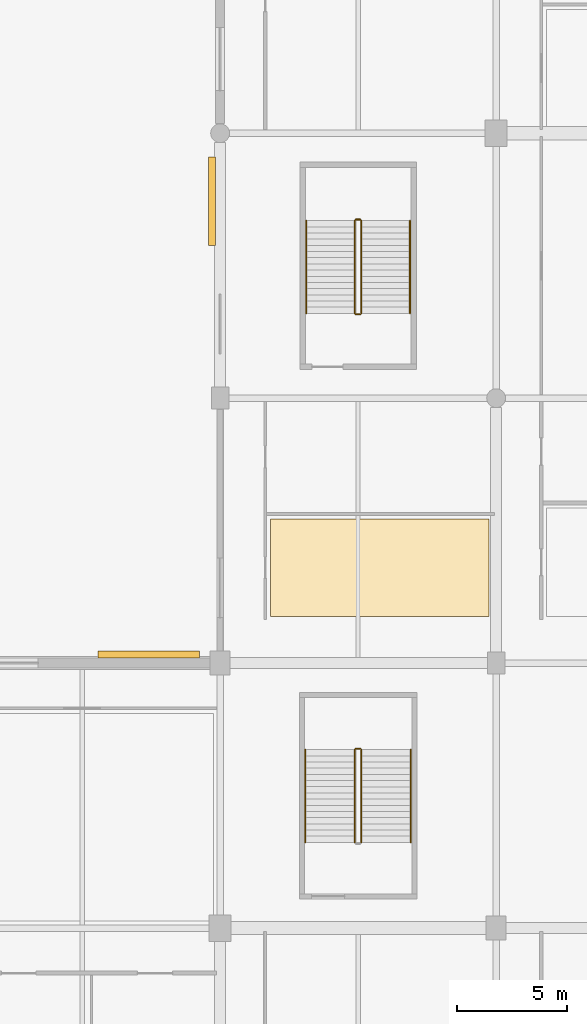
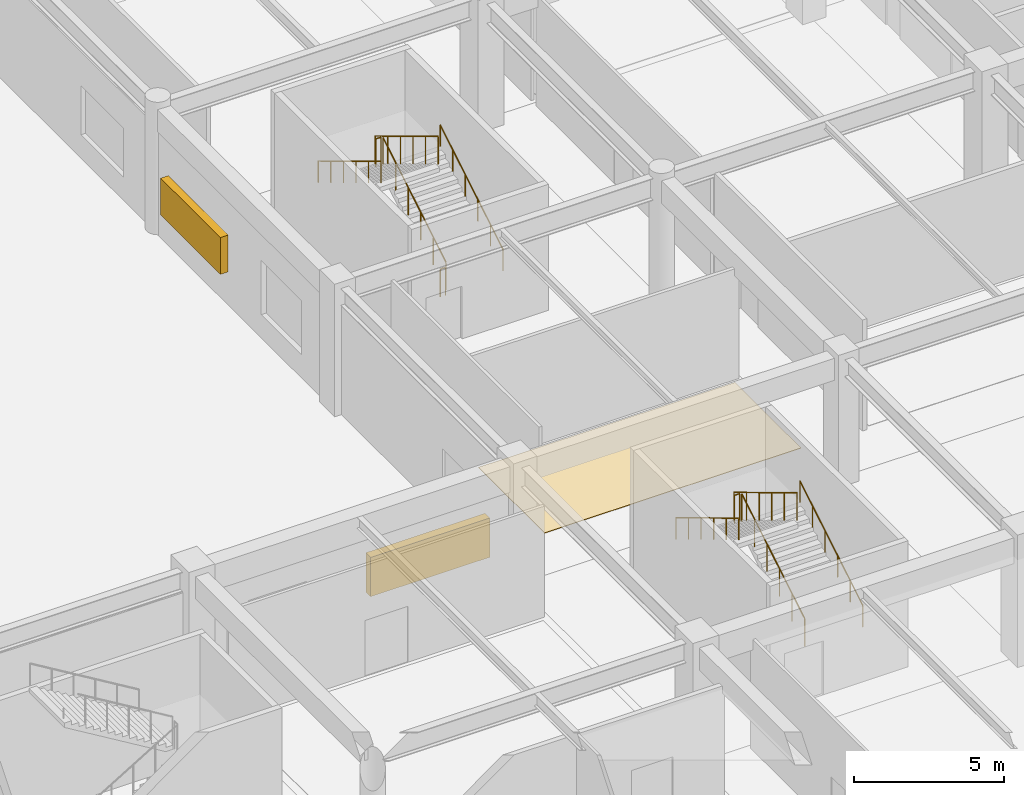
# One storey, part 53 of 69: 11 railings, 2 shading devices, 1 covering.
"""IFC4 building model written with IfcOpenShell, lengths in metres."""

from ifc_helpers import new_model, si_unit, direction, frame, origin, origin_2d, place, context, subcontext, project, spatial, polyline, rectangle, circle, outline, extrude, material, layer, layer_set, type_object, element, save


model = new_model("IFC4")

# Units and contexts
model_context = context("Model", 3, precision=1e-05, world=origin(), true_north=direction((0.0, 1.0)))
body_context = subcontext(model_context, "Body", "Model", "MODEL_VIEW")
ifc_project = project(units=[si_unit("LENGTHUNIT", "METRE"), si_unit("AREAUNIT", "SQUARE_METRE"), si_unit("VOLUMEUNIT", "CUBIC_METRE"), si_unit("PLANEANGLEUNIT", "RADIAN"), si_unit("MASSUNIT", "GRAM", prefix="KILO")], contexts=[model_context])

# Site, building, storey
site_placement = place(None, origin())
site = spatial("IfcSite", under=ifc_project, at=site_placement, CompositionType="ELEMENT")
building_placement = place(site_placement, origin())
building = spatial("IfcBuilding", under=site, at=building_placement, Name="Kazenohara Klinker Stadium", CompositionType="ELEMENT")
storey_placement = place(building_placement, origin())
storey = spatial("IfcBuildingStorey", under=building, at=storey_placement, Name="L00", CompositionType="ELEMENT", Elevation=0.0)

# Covering
ifc_material_1 = material(Name="Slip-resistant honed basalt terrazzo flooring", Category="masonry")
ifc_layer_1 = layer(ifc_material_1, 0.02001953125)
ifc_layer_set_1 = layer_set([ifc_layer_1], Name="Slip-resistant honed basalt terrazzo flooring")
covering_type = type_object("IfcCoveringType", Name="COV-FLR-01", PredefinedType="FLOORING", material=ifc_layer_set_1)
covering_placement = place(storey_placement, origin())
element("IfcCovering", 1, at=covering_placement, inside=storey, type_object=covering_type, Name="Interior floor finish FL01 Civic Stadium Heritage Museum Exhibition Gallery L00-1403A", PredefinedType="FLOORING", context=body_context, shape_type="SweptSolid", body=[
    extrude(outline(polyline([(177.280029296875, 38.1201171875), (187.169921875, 38.1201171875), (187.169921875, 42.527099609375), (177.280029296875, 42.527099609375), (177.280029296875, 38.1201171875)])), origin(), (0.0, 0.0, 1.0), 0.02001953125),
])

# Railings
ifc_material_2 = material(Name="Brushed stainless steel 304 handrail", Category="steel")
ifc_layer_2 = layer(ifc_material_2, 0.050048828125)
ifc_layer_set_2 = layer_set([ifc_layer_2], Name="Brushed stainless steel 304 handrail")
railing_type_1 = type_object("IfcRailingType", Name="RL-HND-900", PredefinedType="HANDRAIL", material=ifc_layer_set_2)
railing_1_placement = place(storey_placement, frame((183.639892578125, 27.8798828125, 0.168701171875)))
element("IfcRailing", 2, at=railing_1_placement, inside=storey, type_object=railing_type_1, Name="L00 ST16 stair handrail 1", PredefinedType="HANDRAIL", context=body_context, shape_type="SweptSolid", body=[
    extrude(circle(Radius=0.02392578125, at=origin_2d()), frame((0.0, 0.0, 0.8759765625), z_axis=(0.0, 0.856489757249, 0.516164020179), x_axis=(-1.0, 0.0, 0.0)), (0.0, 0.0, 1.0), 4.904052734375),
    extrude(circle(Radius=0.02099609375, at=origin_2d()), origin(), (0.0, 0.0, 1.0), 0.851806640625),
    extrude(circle(Radius=0.02099609375, at=origin_2d()), frame((0.0, 0.840087890625, 0.50634765625)), (0.0, 0.0, 1.0), 0.851806640625),
    extrude(circle(Radius=0.02099609375, at=origin_2d()), frame((0.0, 1.68017578125, 1.012451171875)), (0.0, 0.0, 1.0), 0.851806640625),
    extrude(circle(Radius=0.02099609375, at=origin_2d()), frame((0.0, 2.52001953125, 1.518798828125)), (0.0, 0.0, 1.0), 0.851806640625),
    extrude(circle(Radius=0.02099609375, at=origin_2d()), frame((0.0, 3.360107421875, 2.02490234375)), (0.0, 0.0, 1.0), 0.851806640625),
    extrude(circle(Radius=0.02099609375, at=origin_2d()), frame((0.0, 4.2001953125, 2.53125)), (0.0, 0.0, 1.0), 0.851806640625),
])
railing_2_placement = place(storey_placement, frame((178.860107421875, 32.080078125, 2.86865234375)))
element("IfcRailing", 3, at=railing_2_placement, inside=storey, type_object=railing_type_1, Name="L00 ST16 stair handrail 2", PredefinedType="HANDRAIL", context=body_context, shape_type="SweptSolid", body=[
    extrude(circle(Radius=0.02392578125, at=origin_2d()), frame((0.0, 0.0, 0.8759765625), z_axis=(0.0, -0.856489757249, 0.516164020179), x_axis=(1.0, 0.0, 0.0)), (0.0, 0.0, 1.0), 4.904052734375),
    extrude(circle(Radius=0.02099609375, at=origin_2d()), origin(), (0.0, 0.0, 1.0), 0.851806640625),
    extrude(circle(Radius=0.02099609375, at=origin_2d()), frame((0.0, -0.840087890625, 0.50634765625)), (0.0, 0.0, 1.0), 0.851806640625),
    extrude(circle(Radius=0.02099609375, at=origin_2d()), frame((0.0, -1.68017578125, 1.012451171875)), (0.0, 0.0, 1.0), 0.851806640625),
    extrude(circle(Radius=0.02099609375, at=origin_2d()), frame((0.0, -2.52001953125, 1.518798828125)), (0.0, 0.0, 1.0), 0.851806640625),
    extrude(circle(Radius=0.02099609375, at=origin_2d()), frame((0.0, -3.360107421875, 2.02490234375)), (0.0, 0.0, 1.0), 0.851806640625),
    extrude(circle(Radius=0.02099609375, at=origin_2d()), frame((0.0, -4.2001953125, 2.53125)), (0.0, 0.0, 1.0), 0.851806640625),
])
railing_3_placement = place(storey_placement, frame((183.60009765625, 51.840087890625, 0.168701171875)))
element("IfcRailing", 4, at=railing_3_placement, inside=storey, type_object=railing_type_1, Name="L00 ST21 stair handrail 1", PredefinedType="HANDRAIL", context=body_context, shape_type="SweptSolid", body=[
    extrude(circle(Radius=0.02392578125, at=origin_2d()), frame((0.0, 0.0, 0.8759765625), z_axis=(0.0, 0.856476492594, 0.516186030065), x_axis=(-1.0, 0.0, 0.0)), (0.0, 0.0, 1.0), 4.90380859375),
    extrude(circle(Radius=0.02099609375, at=origin_2d()), origin(), (0.0, 0.0, 1.0), 0.851806640625),
    extrude(circle(Radius=0.02099609375, at=origin_2d()), frame((0.0, 0.840087890625, 0.50634765625)), (0.0, 0.0, 1.0), 0.851806640625),
    extrude(circle(Radius=0.02099609375, at=origin_2d()), frame((0.0, 1.679931640625, 1.012451171875)), (0.0, 0.0, 1.0), 0.851806640625),
    extrude(circle(Radius=0.02099609375, at=origin_2d()), frame((0.0, 2.52001953125, 1.518798828125)), (0.0, 0.0, 1.0), 0.851806640625),
    extrude(circle(Radius=0.02099609375, at=origin_2d()), frame((0.0, 3.35986328125, 2.02490234375)), (0.0, 0.0, 1.0), 0.851806640625),
    extrude(circle(Radius=0.02099609375, at=origin_2d()), frame((0.0, 4.199951171875, 2.53125)), (0.0, 0.0, 1.0), 0.851806640625),
])
railing_4_placement = place(storey_placement, frame((178.89990234375, 56.0400390625, 2.86865234375)))
element("IfcRailing", 5, at=railing_4_placement, inside=storey, type_object=railing_type_1, Name="L00 ST21 stair handrail 2", PredefinedType="HANDRAIL", context=body_context, shape_type="SweptSolid", body=[
    extrude(circle(Radius=0.02392578125, at=origin_2d()), frame((0.0, 0.0, 0.8759765625), z_axis=(0.0, -0.856476492594, 0.516186030065), x_axis=(1.0, 0.0, 0.0)), (0.0, 0.0, 1.0), 4.90380859375),
    extrude(circle(Radius=0.02099609375, at=origin_2d()), origin(), (0.0, 0.0, 1.0), 0.851806640625),
    extrude(circle(Radius=0.02099609375, at=origin_2d()), frame((0.0, -0.840087890625, 0.50634765625)), (0.0, 0.0, 1.0), 0.851806640625),
    extrude(circle(Radius=0.02099609375, at=origin_2d()), frame((0.0, -1.679931640625, 1.012451171875)), (0.0, 0.0, 1.0), 0.851806640625),
    extrude(circle(Radius=0.02099609375, at=origin_2d()), frame((0.0, -2.52001953125, 1.518798828125)), (0.0, 0.0, 1.0), 0.851806640625),
    extrude(circle(Radius=0.02099609375, at=origin_2d()), frame((0.0, -3.35986328125, 2.02490234375)), (0.0, 0.0, 1.0), 0.851806640625),
    extrude(circle(Radius=0.02099609375, at=origin_2d()), frame((0.0, -4.199951171875, 2.53125)), (0.0, 0.0, 1.0), 0.851806640625),
])
ifc_material_3 = material(Name="Painted steel stairwell guardrail", Category="steel")
ifc_layer_3 = layer(ifc_material_3, 0.06005859375)
ifc_layer_set_3 = layer_set([ifc_layer_3], Name="Painted steel stairwell guardrail")
railing_type_2 = type_object("IfcRailingType", Name="RL-STG-1120", PredefinedType="GUARDRAIL", material=ifc_layer_set_3)
railing_5_placement = place(storey_placement, frame((181.39990234375, 27.8798828125, 0.168701171875)))
element("IfcRailing", 6, at=railing_5_placement, inside=storey, type_object=railing_type_2, Name="L00 ST16 stair guard 1", PredefinedType="GUARDRAIL", context=body_context, shape_type="SweptSolid", body=[
    extrude(circle(Radius=0.02392578125, at=origin_2d()), frame((0.0, 0.0, 1.1259765625), z_axis=(0.0, 0.856489757249, 0.516164020179), x_axis=(-1.0, 0.0, 0.0)), (0.0, 0.0, 1.0), 4.904052734375),
    extrude(circle(Radius=0.02099609375, at=origin_2d()), origin(), (0.0, 0.0, 1.0), 1.101806640625),
    extrude(circle(Radius=0.02099609375, at=origin_2d()), frame((0.0, 0.840087890625, 0.50634765625)), (0.0, 0.0, 1.0), 1.101806640625),
    extrude(circle(Radius=0.02099609375, at=origin_2d()), frame((0.0, 1.68017578125, 1.012451171875)), (0.0, 0.0, 1.0), 1.101806640625),
    extrude(circle(Radius=0.02099609375, at=origin_2d()), frame((0.0, 2.52001953125, 1.518798828125)), (0.0, 0.0, 1.0), 1.101806640625),
    extrude(circle(Radius=0.02099609375, at=origin_2d()), frame((0.0, 3.360107421875, 2.02490234375)), (0.0, 0.0, 1.0), 1.101806640625),
    extrude(circle(Radius=0.02099609375, at=origin_2d()), frame((0.0, 4.2001953125, 2.53125)), (0.0, 0.0, 1.0), 1.101806640625),
])
railing_6_placement = place(storey_placement, frame((181.35009765625, 32.1298828125, 2.699951171875)))
element("IfcRailing", 7, at=railing_6_placement, inside=storey, type_object=railing_type_2, Name="L00 ST16 stair guard 2", PredefinedType="GUARDRAIL", context=body_context, shape_type="SweptSolid", body=[
    extrude(circle(Radius=0.02392578125, at=origin_2d()), frame((0.0, 0.0, 1.1259765625), z_axis=(-1.0, 0.0, 0.0), x_axis=(0.0, -1.0, 0.0)), (0.0, 0.0, 1.0), 0.2001953125),
    extrude(circle(Radius=0.02099609375, at=origin_2d()), origin(), (0.0, 0.0, 1.0), 1.101806640625),
    extrude(circle(Radius=0.02099609375, at=origin_2d()), frame((-0.2001953125, 0.0, 0.0)), (0.0, 0.0, 1.0), 1.101806640625),
])
railing_7_placement = place(storey_placement, frame((181.10009765625, 32.080078125, 2.86865234375)))
element("IfcRailing", 8, at=railing_7_placement, inside=storey, type_object=railing_type_2, Name="L00 ST16 stair guard 3", PredefinedType="GUARDRAIL", context=body_context, shape_type="SweptSolid", body=[
    extrude(circle(Radius=0.02392578125, at=origin_2d()), frame((0.0, 0.0, 1.1259765625), z_axis=(0.0, -0.856489757249, 0.516164020179), x_axis=(1.0, 0.0, 0.0)), (0.0, 0.0, 1.0), 4.904052734375),
    extrude(circle(Radius=0.02099609375, at=origin_2d()), origin(), (0.0, 0.0, 1.0), 1.101806640625),
    extrude(circle(Radius=0.02099609375, at=origin_2d()), frame((0.0, -0.840087890625, 0.50634765625)), (0.0, 0.0, 1.0), 1.101806640625),
    extrude(circle(Radius=0.02099609375, at=origin_2d()), frame((0.0, -1.68017578125, 1.012451171875)), (0.0, 0.0, 1.0), 1.101806640625),
    extrude(circle(Radius=0.02099609375, at=origin_2d()), frame((0.0, -2.52001953125, 1.518798828125)), (0.0, 0.0, 1.0), 1.101806640625),
    extrude(circle(Radius=0.02099609375, at=origin_2d()), frame((0.0, -3.360107421875, 2.02490234375)), (0.0, 0.0, 1.0), 1.101806640625),
    extrude(circle(Radius=0.02099609375, at=origin_2d()), frame((0.0, -4.2001953125, 2.53125)), (0.0, 0.0, 1.0), 1.101806640625),
])
railing_8_placement = place(storey_placement, frame((181.39990234375, 51.840087890625, 0.168701171875)))
element("IfcRailing", 9, at=railing_8_placement, inside=storey, type_object=railing_type_2, Name="L00 ST21 stair guard 1", PredefinedType="GUARDRAIL", context=body_context, shape_type="SweptSolid", body=[
    extrude(circle(Radius=0.02392578125, at=origin_2d()), frame((0.0, 0.0, 1.1259765625), z_axis=(0.0, 0.856476492594, 0.516186030065), x_axis=(-1.0, 0.0, 0.0)), (0.0, 0.0, 1.0), 4.90380859375),
    extrude(circle(Radius=0.02099609375, at=origin_2d()), origin(), (0.0, 0.0, 1.0), 1.101806640625),
    extrude(circle(Radius=0.02099609375, at=origin_2d()), frame((0.0, 0.840087890625, 0.50634765625)), (0.0, 0.0, 1.0), 1.101806640625),
    extrude(circle(Radius=0.02099609375, at=origin_2d()), frame((0.0, 1.679931640625, 1.012451171875)), (0.0, 0.0, 1.0), 1.101806640625),
    extrude(circle(Radius=0.02099609375, at=origin_2d()), frame((0.0, 2.52001953125, 1.518798828125)), (0.0, 0.0, 1.0), 1.101806640625),
    extrude(circle(Radius=0.02099609375, at=origin_2d()), frame((0.0, 3.35986328125, 2.02490234375)), (0.0, 0.0, 1.0), 1.101806640625),
    extrude(circle(Radius=0.02099609375, at=origin_2d()), frame((0.0, 4.199951171875, 2.53125)), (0.0, 0.0, 1.0), 1.101806640625),
])
railing_9_placement = place(storey_placement, frame((181.35009765625, 56.090087890625, 2.699951171875)))
element("IfcRailing", 10, at=railing_9_placement, inside=storey, type_object=railing_type_2, Name="L00 ST21 stair guard 2", PredefinedType="GUARDRAIL", context=body_context, shape_type="SweptSolid", body=[
    extrude(circle(Radius=0.02392578125, at=origin_2d()), frame((0.0, 0.0, 1.1259765625), z_axis=(-1.0, 0.0, 0.0), x_axis=(0.0, -1.0, 0.0)), (0.0, 0.0, 1.0), 0.2001953125),
    extrude(circle(Radius=0.02099609375, at=origin_2d()), origin(), (0.0, 0.0, 1.0), 1.101806640625),
    extrude(circle(Radius=0.02099609375, at=origin_2d()), frame((-0.2001953125, 0.0, 0.0)), (0.0, 0.0, 1.0), 1.101806640625),
])
railing_10_placement = place(storey_placement, frame((181.10009765625, 56.0400390625, 2.86865234375)))
element("IfcRailing", 11, at=railing_10_placement, inside=storey, type_object=railing_type_2, Name="L00 ST21 stair guard 3", PredefinedType="GUARDRAIL", context=body_context, shape_type="SweptSolid", body=[
    extrude(circle(Radius=0.02392578125, at=origin_2d()), frame((0.0, 0.0, 1.1259765625), z_axis=(0.0, -0.856476492594, 0.516186030065), x_axis=(1.0, 0.0, 0.0)), (0.0, 0.0, 1.0), 4.90380859375),
    extrude(circle(Radius=0.02099609375, at=origin_2d()), origin(), (0.0, 0.0, 1.0), 1.101806640625),
    extrude(circle(Radius=0.02099609375, at=origin_2d()), frame((0.0, -0.840087890625, 0.50634765625)), (0.0, 0.0, 1.0), 1.101806640625),
    extrude(circle(Radius=0.02099609375, at=origin_2d()), frame((0.0, -1.679931640625, 1.012451171875)), (0.0, 0.0, 1.0), 1.101806640625),
    extrude(circle(Radius=0.02099609375, at=origin_2d()), frame((0.0, -2.52001953125, 1.518798828125)), (0.0, 0.0, 1.0), 1.101806640625),
    extrude(circle(Radius=0.02099609375, at=origin_2d()), frame((0.0, -3.35986328125, 2.02490234375)), (0.0, 0.0, 1.0), 1.101806640625),
    extrude(circle(Radius=0.02099609375, at=origin_2d()), frame((0.0, -4.199951171875, 2.53125)), (0.0, 0.0, 1.0), 1.101806640625),
])
railing_11_placement = place(storey_placement, frame((181.35009765625, 51.7900390625, 0.0)))
element("IfcRailing", 12, at=railing_11_placement, inside=storey, type_object=railing_type_2, Name="L00 ST21 stair guard 4", PredefinedType="GUARDRAIL", context=body_context, shape_type="SweptSolid", body=[
    extrude(circle(Radius=0.02392578125, at=origin_2d()), frame((0.0, 0.0, 1.1259765625), z_axis=(-1.0, 0.0, 0.0), x_axis=(0.0, -1.0, 0.0)), (0.0, 0.0, 1.0), 0.2001953125),
    extrude(circle(Radius=0.02099609375, at=origin_2d()), origin(), (0.0, 0.0, 1.0), 1.101806640625),
    extrude(circle(Radius=0.02099609375, at=origin_2d()), frame((-0.2001953125, 0.0, 0.0)), (0.0, 0.0, 1.0), 1.101806640625),
])

# Shading devices
ifc_material_4 = material(Name="Perforated clinker-brick and bronze louvre grille", Category="masonry")
shading_device_type_1 = type_object("IfcShadingDeviceType", Name="SHD-LOUV-02", PredefinedType="JALOUSIE", material=ifc_material_4)
shading_device_1_placement = place(storey_placement, frame((174.6298828125, 56.914794921875, 1.35009765625), z_axis=(0.0, 0.0, 1.0), x_axis=(0.0, 1.0, 0.0)))
element("IfcShadingDevice", 13, at=shading_device_1_placement, inside=storey, type_object=shading_device_type_1, Name="Perforated clinker-brick louvre screen LV02-10", PredefinedType="JALOUSIE", context=body_context, shape_type="SweptSolid", body=[
    extrude(rectangle(XDim=4.0, YDim=0.300048828125, at=origin_2d()), origin(), (0.0, 0.0, 1.0), 1.5),
])
shading_device_type_2 = type_object("IfcShadingDeviceType", Name="SHD-LOUV-03", PredefinedType="JALOUSIE", material=ifc_material_4)
shading_device_2_placement = place(storey_placement, frame((171.77587890625, 36.3798828125, 1.300048828125), z_axis=(0.0, 0.0, 1.0), x_axis=(1.0, 0.0, 0.0)))
element("IfcShadingDevice", 14, at=shading_device_2_placement, inside=storey, type_object=shading_device_type_2, Name="Perforated clinker-brick louvre screen LV03-08", PredefinedType="JALOUSIE", context=body_context, shape_type="SweptSolid", body=[
    extrude(rectangle(XDim=4.60009765625, YDim=0.320068359375, at=origin_2d()), origin(), (0.0, 0.0, 1.0), 1.60009765625),
])

save(model, "model.ifc")
